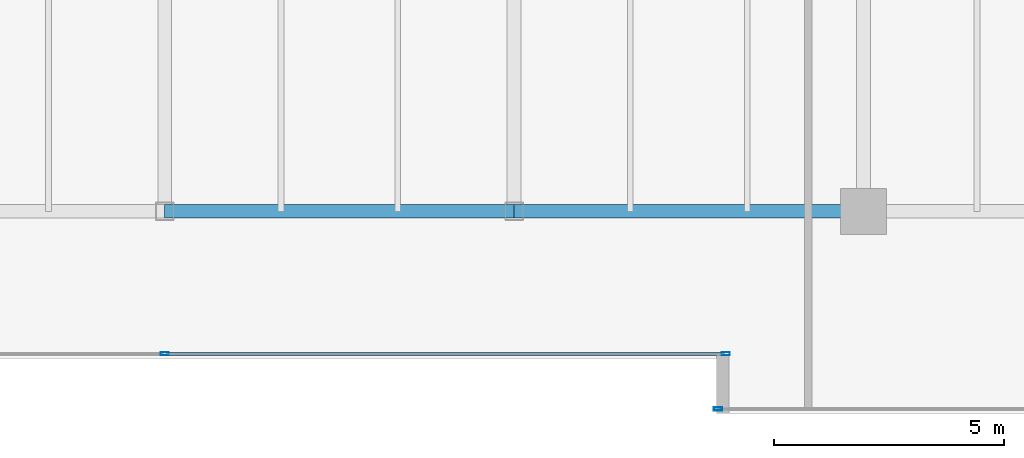
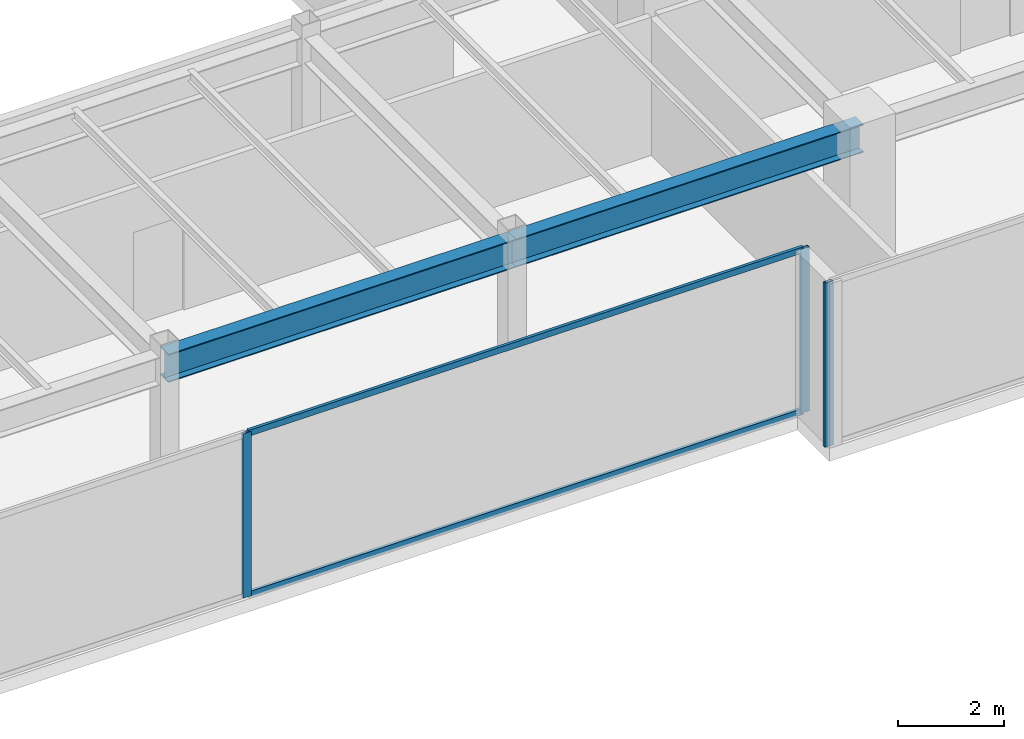
# One storey, part 11 of 33: 5 members, 2 beams, 2 elements without a shape of their own.
"""IFC4 building model written with IfcOpenShell, lengths in metres."""

from ifc_helpers import new_model, si_unit, direction, frame, origin, origin_2d, place, context, subcontext, project, spatial, hollow_rectangle, i_section, extrude, source, transform, mapped, material, layer, layer_set, material_profile, profile_set, type_object, type_shapes, element, aggregate, save


model = new_model("IFC4")

# Units and contexts
model_context = context("Model", 3, precision=1e-05, world=origin(), true_north=direction((0.0, 1.0)))
body_context = subcontext(model_context, "Body", "Model", "MODEL_VIEW")
ifc_project = project(units=[si_unit("LENGTHUNIT", "METRE"), si_unit("AREAUNIT", "SQUARE_METRE"), si_unit("VOLUMEUNIT", "CUBIC_METRE"), si_unit("PLANEANGLEUNIT", "RADIAN"), si_unit("MASSUNIT", "GRAM", prefix="KILO")], contexts=[model_context])

# Site, building, storey
site_placement = place(None, origin())
site = spatial("IfcSite", under=ifc_project, at=site_placement, CompositionType="ELEMENT")
building_placement = place(site_placement, origin())
building = spatial("IfcBuilding", under=site, at=building_placement, Name="Haelvirn Gate Laboratories", CompositionType="ELEMENT")
storey_placement = place(building_placement, frame((0.0, 0.0, 275.199951171875)))
storey = spatial("IfcBuildingStorey", under=building, at=storey_placement, Name="L66", CompositionType="ELEMENT", Elevation=275.199951171875)

# Beams
ifc_material_1 = material(Name="Steel SM355", Category="steel")
ifc_material_profile_1 = material_profile(ifc_material_1, i_section(OverallWidth=0.300048828125, OverallDepth=0.64990234375, WebThickness=0.012939453125, FlangeThickness=0.02197265625, at=origin_2d()), Name="H-650x300x13x22")
ifc_profile_set_1 = profile_set([ifc_material_profile_1], Name="Steel SM355")
beam_type = type_object("IfcBeamType", Name="BM-G-650", PredefinedType="BEAM", material=ifc_profile_set_1)
shared_shape_1 = source(origin(), body_context, "Body", "SweptSolid", [
    extrude(i_section(OverallWidth=0.300048828125, OverallDepth=0.64990234375, WebThickness=0.012939453125, FlangeThickness=0.02197265625, at=origin_2d()), origin(), (0.0, 0.0, 1.0), 7.60009765625),
])
type_shapes(beam_type, [shared_shape_1])
for number, where, z_axis, x_axis, name in (
    (1, (37.39990234375, 7.0, 3.47509765625), (1.0, 0.0, 0.0), (0.0, 1.0, 0.0), "L66 Primary Girder Y7.0 (37.4-45.0)"),
    (2, (45.0, 7.0, 3.47509765625), (1.0, 0.0, 0.0), (0.0, 1.0, 0.0), "L66 Primary Girder Y7.0 (45.0-52.6)"),
):
    element("IfcBeam", number, at=place(storey_placement, frame(where, z_axis=z_axis, x_axis=x_axis)), inside=storey, type_object=beam_type, Name=name, PredefinedType="BEAM", context=body_context, shape_type="MappedRepresentation", body=[
        mapped(shared_shape_1, transform((0.0, 0.0, 0.0), scale=1.0)),
    ])

# Curtain wall, members
ifc_material_2 = material(Name="Anodised bronze unitised aluminium & triple low-E glass", Category="aluminium")
ifc_layer = layer(ifc_material_2, 0.176025390625, Name="CW-SYS-4")
ifc_layer_set = layer_set([ifc_layer], Name="Anodised bronze unitised aluminium & triple low-E glass")
curtain_wall_type = type_object("IfcCurtainWallType", Name="CW-SYS-4", PredefinedType="NOTDEFINED", material=ifc_layer_set)
curtain_wall_1_placement = place(storey_placement, origin())
curtain_wall_1 = element("IfcCurtainWall", 3, at=curtain_wall_1_placement, inside=storey, type_object=curtain_wall_type, Name="L66 Unitised Curtain Wall CW-L66-P0-E02-1", PredefinedType="NOTDEFINED")
ifc_material_3 = material(Name="Extruded aluminium 6063-T6 (anodised bronze)", Category="aluminium")
ifc_material_profile_2 = material_profile(ifc_material_3, hollow_rectangle(XDim=0.06494140625, YDim=0.139892578125, WallThickness=0.00390625, at=origin_2d()), Name="CWT-140x65x4")
ifc_profile_set_2 = profile_set([ifc_material_profile_2], Name="Extruded aluminium 6063-T6 (anodised bronze)")
member_type_1 = type_object("IfcMemberType", Name="CWT-T140", PredefinedType="USERDEFINED", material=ifc_profile_set_2)
shared_shape_2 = source(origin(), body_context, "Body", "SweptSolid", [
    extrude(hollow_rectangle(XDim=0.06494140625, YDim=0.139892578125, WallThickness=0.00390625, at=origin_2d()), origin(), (0.0, 0.0, 1.0), 12.135009765625),
])
type_shapes(member_type_1, [shared_shape_2])
member_1_placement = place(storey_placement, frame((37.43505859375, 3.89990234375, 0.032470703125), z_axis=(1.0, 0.0, 0.0), x_axis=(0.0, 1.0, 0.0)))
member_1 = element("IfcMember", 4, at=member_1_placement, type_object=member_type_1, Name="CW4 transom 2.1", ObjectType="TRANSOM", PredefinedType="USERDEFINED", context=body_context, shape_type="MappedRepresentation", body=[
    mapped(shared_shape_2, transform((0.0, 0.0, 0.0), scale=1.0)),
])
member_2_placement = place(storey_placement, frame((37.43505859375, 3.89990234375, 3.767578125), z_axis=(1.0, 0.0, 0.0), x_axis=(0.0, 1.0, 0.0)))
member_2 = element("IfcMember", 5, at=member_2_placement, type_object=member_type_1, Name="CW4 transom 2.2", ObjectType="TRANSOM", PredefinedType="USERDEFINED", context=body_context, shape_type="MappedRepresentation", body=[
    mapped(shared_shape_2, transform((0.0, 0.0, 0.0), scale=1.0)),
])
ifc_material_profile_3 = material_profile(ifc_material_3, hollow_rectangle(XDim=0.070068359375, YDim=0.179931640625, WallThickness=0.0048828125, at=origin_2d()), Name="CWM-180x70x5")
ifc_profile_set_3 = profile_set([ifc_material_profile_3], Name="Extruded aluminium 6063-T6 (anodised bronze)")
member_type_2 = type_object("IfcMemberType", Name="CWM-T180", PredefinedType="MULLION", material=ifc_profile_set_3)
shared_shape_3 = source(origin(), body_context, "Body", "SweptSolid", [
    extrude(hollow_rectangle(XDim=0.070068359375, YDim=0.179931640625, WallThickness=0.0048828125, at=origin_2d()), origin(), (0.0, 0.0, 1.0), 3.800048828125),
])
type_shapes(member_type_2, [shared_shape_3])
member_3_placement = place(storey_placement, frame((37.39990234375, 3.89990234375, 0.0), z_axis=(0.0, 0.0, 1.0), x_axis=(0.0, 1.0, 0.0)))
member_3 = element("IfcMember", 6, at=member_3_placement, type_object=member_type_2, Name="CW4 mullion 2", PredefinedType="MULLION", context=body_context, shape_type="MappedRepresentation", body=[
    mapped(shared_shape_3, transform((0.0, 0.0, 0.0), scale=1.0)),
])
member_4_placement = place(storey_placement, frame((49.60498046875, 3.89990234375, 0.0), z_axis=(0.0, 0.0, 1.0), x_axis=(0.0, 1.0, 0.0)))
member_4 = element("IfcMember", 7, at=member_4_placement, type_object=member_type_2, Name="CW4 mullion 3", PredefinedType="MULLION", context=body_context, shape_type="MappedRepresentation", body=[
    mapped(shared_shape_3, transform((0.0, 0.0, 0.0), scale=1.0)),
])
aggregate(curtain_wall_1, [member_3, member_4, member_1, member_2])

# Curtain wall, member
curtain_wall_2_placement = place(storey_placement, origin())
curtain_wall_2 = element("IfcCurtainWall", 8, at=curtain_wall_2_placement, inside=storey, type_object=curtain_wall_type, Name="L66 Unitised Curtain Wall CW-L66-P0-E04-1", PredefinedType="NOTDEFINED")
member_5_placement = place(storey_placement, frame((49.43505859375, 2.699951171875, 0.0), z_axis=(0.0, 0.0, 1.0), x_axis=(0.0, 1.0, 0.0)))
member_5 = element("IfcMember", 9, at=member_5_placement, type_object=member_type_2, Name="CW4 mullion 1", PredefinedType="MULLION", context=body_context, shape_type="MappedRepresentation", body=[
    mapped(shared_shape_3, transform((0.0, 0.0, 0.0), scale=1.0)),
])
aggregate(curtain_wall_2, [member_5])

save(model, "model.ifc")
